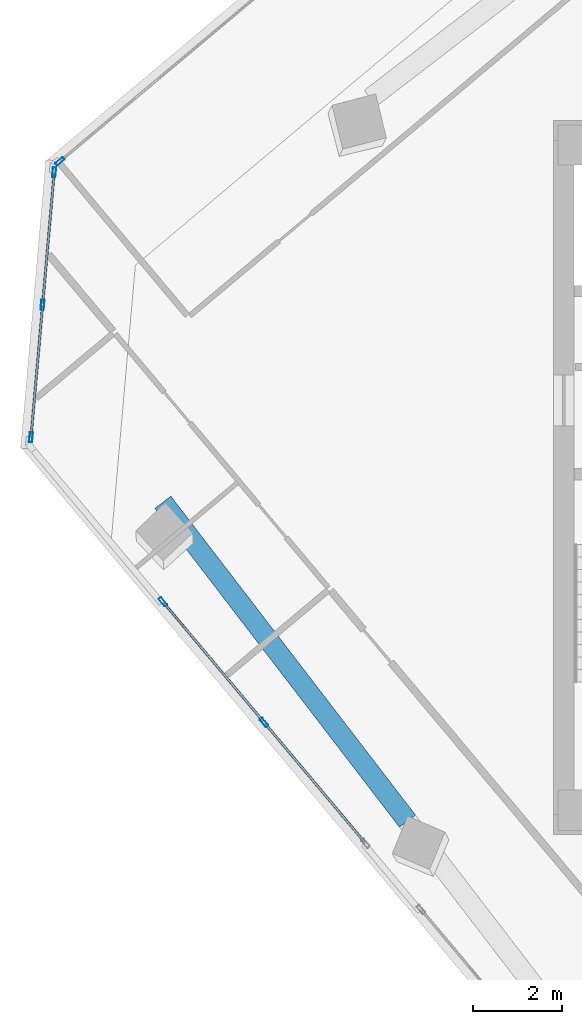
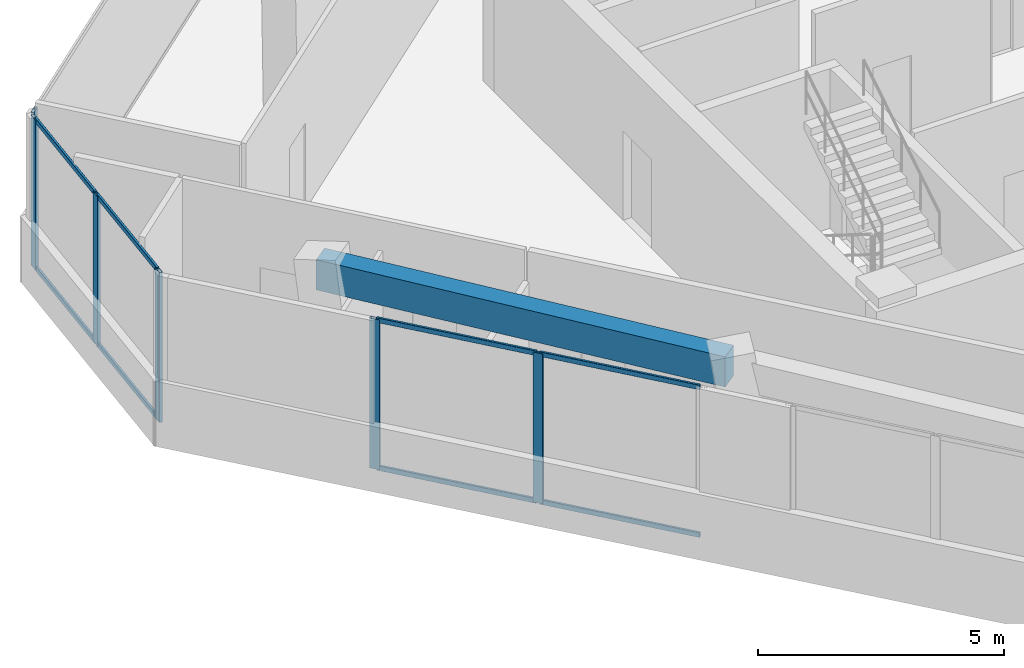
# One storey, part 4 of 17: 14 members, 1 beam, 3 elements without a shape of their own.
"""IFC4 building model written with IfcOpenShell, lengths in metres."""

from ifc_helpers import new_model, si_unit, direction, frame, origin, origin_2d, place, context, subcontext, project, spatial, rectangle, hollow_rectangle, extrude, source, transform, mapped, material, material_profile, profile_set, type_object, element, aggregate, save


model = new_model("IFC4")

# Units and contexts
model_context = context("Model", 3, precision=1e-05, world=origin(), true_north=direction((0.0, 1.0)))
body_context = subcontext(model_context, "Body", "Model", "MODEL_VIEW")
ifc_project = project(units=[si_unit("LENGTHUNIT", "METRE"), si_unit("AREAUNIT", "SQUARE_METRE"), si_unit("VOLUMEUNIT", "CUBIC_METRE"), si_unit("PLANEANGLEUNIT", "RADIAN"), si_unit("MASSUNIT", "GRAM", prefix="KILO")], contexts=[model_context])

# Site, building, storey
site_placement = place(None, origin())
site = spatial("IfcSite", under=ifc_project, at=site_placement, CompositionType="ELEMENT")
building_placement = place(site_placement, origin())
building = spatial("IfcBuilding", under=site, at=building_placement, Name="Torre Montelarca", CompositionType="ELEMENT")
storey_placement = place(building_placement, frame((0.0, 0.0, 275.199951171875)))
storey = spatial("IfcBuildingStorey", under=building, at=storey_placement, Name="L62", CompositionType="ELEMENT", Elevation=275.199951171875)

# Beam
ifc_material_1 = material(Name="Concrete C55/67", Category="concrete")
ifc_material_profile_1 = material_profile(ifc_material_1, rectangle(XDim=0.449951171875, YDim=0.75, at=origin_2d()), Name="RCB450X750", Category="concrete")
ifc_profile_set_1 = profile_set([ifc_material_profile_1], Name="Concrete C55/67")
beam_type = type_object("IfcBeamType", Name="BM-SP-RC750-EXT", PredefinedType="SPANDREL", material=ifc_profile_set_1)
shared_shape_1 = source(origin(), body_context, "Body", "SweptSolid", [
    extrude(rectangle(XDim=0.449951171875, YDim=0.75, at=origin_2d()), origin(), (0.0, 0.0, 1.0), 9.0),
])
beam_placement = place(storey_placement, frame((0.244873046875, 31.4462890625, 3.5849609375), z_axis=(0.608744143222, -0.793366603842, 0.0), x_axis=(0.793366603842, 0.608744143222, 0.0)))
element("IfcBeam", 1, at=beam_placement, inside=storey, type_object=beam_type, Name="L62 Grid Girder X 9.0-18.0 at Y=14.8", PredefinedType="SPANDREL", context=body_context, shape_type="MappedRepresentation", body=[
    mapped(shared_shape_1, transform((0.0, 0.0, 0.0), scale=1.0)),
])

# Curtain wall, members
ifc_material_2 = material(Name="Insulated low-E laminated glass", Category="glass")
curtain_wall_type = type_object("IfcCurtainWallType", Name="CW-SYS-Z3", PredefinedType="USERDEFINED", material=ifc_material_2)
curtain_wall_1_placement = place(storey_placement, origin())
curtain_wall_1 = element("IfcCurtainWall", 2, at=curtain_wall_1_placement, inside=storey, type_object=curtain_wall_type, Name="L62 Curtain Wall Run CW-T3-L62-E11-B1", ObjectType="UNITISED GLAZING", PredefinedType="USERDEFINED")
ifc_material_3 = material(Name="Anodised aluminium AA 6063-T6", Category="aluminium")
ifc_material_profile_2 = material_profile(ifc_material_3, hollow_rectangle(XDim=0.054931640625, YDim=0.1201171875, WallThickness=0.00341796875, InnerFilletRadius=0.00341796875, OuterFilletRadius=0.007080078125, at=origin_2d()), Name="ALU55X120X3.5", Category="aluminium")
ifc_profile_set_2 = profile_set([ifc_material_profile_2], Name="Anodised aluminium AA 6063-T6")
member_type_1 = type_object("IfcMemberType", Name="CWT-ALU120", PredefinedType="USERDEFINED", material=ifc_profile_set_2)
shared_shape_2 = source(origin(), body_context, "Body", "SweptSolid", [
    extrude(hollow_rectangle(XDim=0.054931640625, YDim=0.1201171875, WallThickness=0.00341796875, InnerFilletRadius=0.00341796875, OuterFilletRadius=0.007080078125, at=origin_2d()), origin(), (0.0, 0.0, 1.0), 2.903564453125),
])
member_1_placement = place(storey_placement, frame((-2.19189453125, 38.799560546875, 0.027587890625), z_axis=(-0.087191982893, -0.996191526826, 0.0), x_axis=(0.996191526826, -0.087191982893, 0.0)))
member_1 = element("IfcMember", 3, at=member_1_placement, type_object=member_type_1, Name="CW transom 1.1", ObjectType="TRANSOM", PredefinedType="USERDEFINED", context=body_context, shape_type="MappedRepresentation", body=[
    mapped(shared_shape_2, transform((0.0, 0.0, 0.0), scale=1.0)),
])
member_2_placement = place(storey_placement, frame((-2.19189453125, 38.799560546875, 3.692626953125), z_axis=(-0.087191982893, -0.996191526826, 0.0), x_axis=(0.996191526826, -0.087191982893, 0.0)))
member_2 = element("IfcMember", 4, at=member_2_placement, type_object=member_type_1, Name="CW transom 1.2", ObjectType="TRANSOM", PredefinedType="USERDEFINED", context=body_context, shape_type="MappedRepresentation", body=[
    mapped(shared_shape_2, transform((0.0, 0.0, 0.0), scale=1.0)),
])
member_3_placement = place(storey_placement, frame((-2.45166015625, 35.832275390625, 0.027587890625), z_axis=(-0.087191982893, -0.996191526826, 0.0), x_axis=(0.996191526826, -0.087191982893, 0.0)))
member_3 = element("IfcMember", 5, at=member_3_placement, type_object=member_type_1, Name="CW transom 2.1", ObjectType="TRANSOM", PredefinedType="USERDEFINED", context=body_context, shape_type="MappedRepresentation", body=[
    mapped(shared_shape_2, transform((0.0, 0.0, 0.0), scale=1.0)),
])
member_4_placement = place(storey_placement, frame((-2.45166015625, 35.832275390625, 3.692626953125), z_axis=(-0.087191982893, -0.996191526826, 0.0), x_axis=(0.996191526826, -0.087191982893, 0.0)))
member_4 = element("IfcMember", 6, at=member_4_placement, type_object=member_type_1, Name="CW transom 2.2", ObjectType="TRANSOM", PredefinedType="USERDEFINED", context=body_context, shape_type="MappedRepresentation", body=[
    mapped(shared_shape_2, transform((0.0, 0.0, 0.0), scale=1.0)),
])

curtain_wall_2_placement = place(storey_placement, origin())
curtain_wall_2 = element("IfcCurtainWall", 7, at=curtain_wall_2_placement, inside=storey, type_object=curtain_wall_type, Name="L62 Curtain Wall Run CW-T3-L62-E01-B1", ObjectType="UNITISED GLAZING", PredefinedType="USERDEFINED")
ifc_material_profile_3 = material_profile(ifc_material_3, hollow_rectangle(XDim=0.074951171875, YDim=0.219970703125, WallThickness=0.0048828125, InnerFilletRadius=0.0048828125, OuterFilletRadius=0.010009765625, at=origin_2d()), Name="ALU75X220X5", Category="aluminium")
ifc_profile_set_3 = profile_set([ifc_material_profile_3], Name="Anodised aluminium AA 6063-T6")
member_type_2 = type_object("IfcMemberType", Name="CWM-ALU220", PredefinedType="MULLION", material=ifc_profile_set_3)
shared_shape_3 = source(origin(), body_context, "Body", "SweptSolid", [
    extrude(hollow_rectangle(XDim=0.074951171875, YDim=0.219970703125, WallThickness=0.0048828125, InnerFilletRadius=0.0048828125, OuterFilletRadius=0.010009765625, at=origin_2d()), origin(), (0.0, 0.0, 1.0), 3.719970703125),
])
member_5_placement = place(storey_placement, frame((0.24462890625, 29.21923828125, 0.0), z_axis=(0.0, 0.0, 1.0), x_axis=(0.766041369551, 0.642791272604, 0.0)))
member_5 = element("IfcMember", 8, at=member_5_placement, type_object=member_type_2, Name="CW mullion 1", PredefinedType="MULLION", context=body_context, shape_type="MappedRepresentation", body=[
    mapped(shared_shape_3, transform((0.0, 0.0, 0.0), scale=1.0)),
])
member_6_placement = place(storey_placement, frame((2.51513671875, 26.51318359375, 0.0), z_axis=(0.0, 0.0, 1.0), x_axis=(0.766041369551, 0.642791272604, 0.0)))
member_6 = element("IfcMember", 9, at=member_6_placement, type_object=member_type_2, Name="CW mullion 2", PredefinedType="MULLION", context=body_context, shape_type="MappedRepresentation", body=[
    mapped(shared_shape_3, transform((0.0, 0.0, 0.0), scale=1.0)),
])

# Curtain wall, member
curtain_wall_3_placement = place(storey_placement, origin())
curtain_wall_3 = element("IfcCurtainWall", 10, at=curtain_wall_3_placement, inside=storey, type_object=curtain_wall_type, Name="L62 Curtain Wall Run CW-T3-L62-E10-B1", ObjectType="UNITISED GLAZING", PredefinedType="USERDEFINED")
member_7_placement = place(storey_placement, frame((-2.061279296875, 39.08203125, 0.0), z_axis=(0.0, 0.0, 1.0), x_axis=(0.642788408931, -0.766043772472, 0.0)))
member_7 = element("IfcMember", 11, at=member_7_placement, type_object=member_type_2, Name="CW mullion 3", PredefinedType="MULLION", context=body_context, shape_type="MappedRepresentation", body=[
    mapped(shared_shape_3, transform((0.0, 0.0, 0.0), scale=1.0)),
])
aggregate(curtain_wall_3, [member_7])

# Member
member_8_placement = place(storey_placement, frame((-2.188720703125, 38.8369140625, 0.0), z_axis=(0.0, 0.0, 1.0), x_axis=(0.996192349816, -0.087182579501, 0.0)))
member_8 = element("IfcMember", 12, at=member_8_placement, type_object=member_type_2, Name="CW mullion 1", PredefinedType="MULLION", context=body_context, shape_type="MappedRepresentation", body=[
    mapped(shared_shape_3, transform((0.0, 0.0, 0.0), scale=1.0)),
])

member_9_placement = place(storey_placement, frame((-2.4482421875, 35.86962890625, 0.0), z_axis=(0.0, 0.0, 1.0), x_axis=(0.996192349816, -0.087182579501, 0.0)))
member_9 = element("IfcMember", 13, at=member_9_placement, type_object=member_type_2, Name="CW mullion 2", PredefinedType="MULLION", context=body_context, shape_type="MappedRepresentation", body=[
    mapped(shared_shape_3, transform((0.0, 0.0, 0.0), scale=1.0)),
])

member_10_placement = place(storey_placement, frame((-2.7080078125, 32.90234375, 0.0), z_axis=(0.0, 0.0, 1.0), x_axis=(0.996192349816, -0.087182579501, 0.0)))
member_10 = element("IfcMember", 14, at=member_10_placement, type_object=member_type_2, Name="CW mullion 3", PredefinedType="MULLION", context=body_context, shape_type="MappedRepresentation", body=[
    mapped(shared_shape_3, transform((0.0, 0.0, 0.0), scale=1.0)),
])

aggregate(curtain_wall_1, [member_8, member_9, member_10, member_1, member_2, member_3, member_4])

shared_shape_4 = source(origin(), body_context, "Body", "SweptSolid", [
    extrude(hollow_rectangle(XDim=0.054931640625, YDim=0.1201171875, WallThickness=0.00341796875, InnerFilletRadius=0.00341796875, OuterFilletRadius=0.007080078125, at=origin_2d()), origin(), (0.0, 0.0, 1.0), 3.457275390625),
])
member_11_placement = place(storey_placement, frame((0.268798828125, 29.1904296875, 0.027587890625), z_axis=(0.64280614081, -0.766028893278, 0.0), x_axis=(0.766028893278, 0.64280614081, 0.0)))
member_11 = element("IfcMember", 15, at=member_11_placement, type_object=member_type_1, Name="CW transom 1.1", ObjectType="TRANSOM", PredefinedType="USERDEFINED", context=body_context, shape_type="MappedRepresentation", body=[
    mapped(shared_shape_4, transform((0.0, 0.0, 0.0), scale=1.0)),
])

member_12_placement = place(storey_placement, frame((0.268798828125, 29.1904296875, 3.692626953125), z_axis=(0.64280614081, -0.766028893278, 0.0), x_axis=(0.766028893278, 0.64280614081, 0.0)))
member_12 = element("IfcMember", 16, at=member_12_placement, type_object=member_type_1, Name="CW transom 1.2", ObjectType="TRANSOM", PredefinedType="USERDEFINED", context=body_context, shape_type="MappedRepresentation", body=[
    mapped(shared_shape_4, transform((0.0, 0.0, 0.0), scale=1.0)),
])

member_13_placement = place(storey_placement, frame((2.539306640625, 26.484375, 0.027587890625), z_axis=(0.64280614081, -0.766028893278, 0.0), x_axis=(0.766028893278, 0.64280614081, 0.0)))
member_13 = element("IfcMember", 17, at=member_13_placement, type_object=member_type_1, Name="CW transom 2.1", ObjectType="TRANSOM", PredefinedType="USERDEFINED", context=body_context, shape_type="MappedRepresentation", body=[
    mapped(shared_shape_4, transform((0.0, 0.0, 0.0), scale=1.0)),
])

member_14_placement = place(storey_placement, frame((2.539306640625, 26.484375, 3.692626953125), z_axis=(0.64280614081, -0.766028893278, 0.0), x_axis=(0.766028893278, 0.64280614081, 0.0)))
member_14 = element("IfcMember", 18, at=member_14_placement, type_object=member_type_1, Name="CW transom 2.2", ObjectType="TRANSOM", PredefinedType="USERDEFINED", context=body_context, shape_type="MappedRepresentation", body=[
    mapped(shared_shape_4, transform((0.0, 0.0, 0.0), scale=1.0)),
])

aggregate(curtain_wall_2, [member_5, member_6, member_11, member_12, member_13, member_14])

save(model, "model.ifc")
